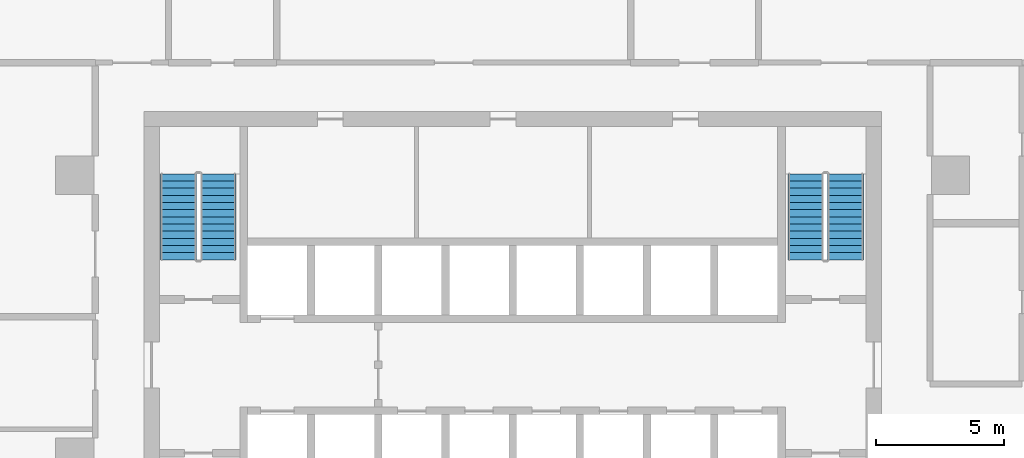
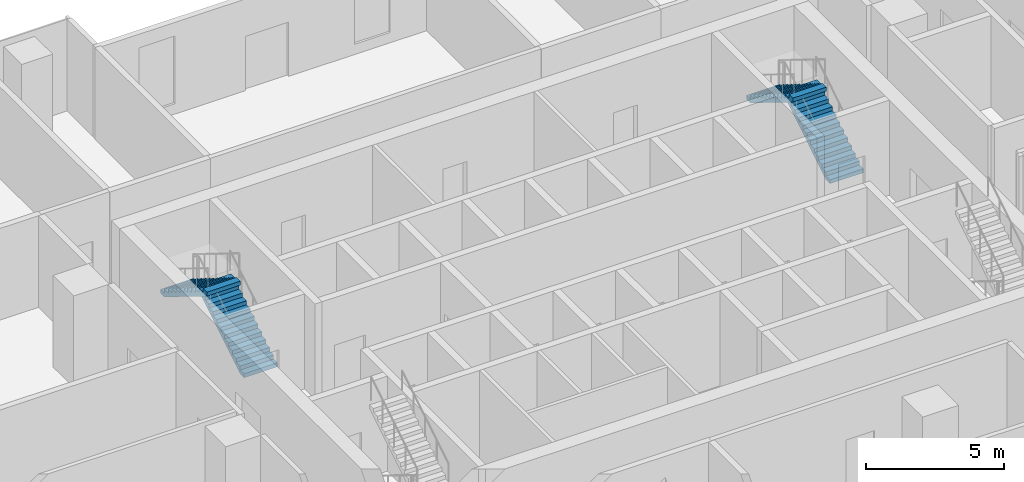
# One storey, part 11 of 14: 4 stair flights, 2 elements without a shape of their own.
"""IFC4 building model written with IfcOpenShell, lengths in metres."""

import ifcopenshell
import ifcopenshell.guid

model = None  # the IFC model being written
_history = None  # IfcOwnerHistory: only IFC2X3 demands one
_inside = {}  # id of a spatial element -> (the spatial element, [elements in it])
_under = {}  # id of a project, library or spatial element -> (it, [spatial elements below it])
_declared = {}  # id of a project -> (the project, [libraries it declares])
_typed = {}  # id of a type object -> (the type object, [elements of that type])
_made_of = {}  # id of a material, layer set ... -> (it, [elements and type objects made of it])


def new_model(schema):
    """Start an empty IFC model of exactly this schema.

    Asked for "IFC4X3", IfcOpenShell would pick the latest addendum, in which some entities
    have other attributes; the version numbers below select the first issue.
    IFC2X3 requires an IfcOwnerHistory on every rooted entity: one is made here for all.
    """
    global model, _history
    if schema == "IFC4X3":
        model = ifcopenshell.file(schema_version=(4, 3, 0, 0))
    else:
        model = ifcopenshell.file(schema=schema)
    _inside.clear()
    _under.clear()
    _declared.clear()
    _typed.clear()
    _made_of.clear()
    _history = None
    if model.schema == "IFC2X3":
        org = make("IfcOrganization", Name="unknown")
        user = make(
            "IfcPersonAndOrganization",
            ThePerson=make("IfcPerson", FamilyName="unknown"),
            TheOrganization=org,
        )
        app = make(
            "IfcApplication",
            ApplicationDeveloper=org,
            Version="unknown",
            ApplicationFullName="unknown",
            ApplicationIdentifier="unknown",
        )
        _history = make(
            "IfcOwnerHistory",
            OwningUser=user,
            OwningApplication=app,
            ChangeAction="ADDED",
            CreationDate=0,
        )
    return model


def make(cls, **values):
    """One entity of the class cls with the attributes given. An attribute that is None is left unset."""
    return model.create_entity(
        cls, **{name: value for name, value in values.items() if value is not None}
    )


def rooted(cls, **values):
    """An entity with a GlobalId (a new one), such as an element, a storey or a relation."""
    return make(cls, GlobalId=ifcopenshell.guid.new(), OwnerHistory=_history, **values)


def si_unit(unit_type, name, prefix=None):
    """IfcSIUnit, for example si_unit("LENGTHUNIT", "METRE", prefix="MILLI")."""
    return make("IfcSIUnit", UnitType=unit_type, Prefix=prefix, Name=name)


def assignment(units):
    """IfcUnitAssignment: the units of a project."""
    return None if units is None else make("IfcUnitAssignment", Units=units)


def point(xyz):
    """IfcCartesianPoint."""
    return None if xyz is None else make("IfcCartesianPoint", Coordinates=xyz)


def direction(xyz):
    """IfcDirection."""
    return None if xyz is None else make("IfcDirection", DirectionRatios=xyz)


def frame(location, z_axis=None, x_axis=None):
    """IfcAxis2Placement3D, a coordinate frame: its origin and axes. An axis left out is left unset."""
    return make(
        "IfcAxis2Placement3D",
        Location=point(location),
        Axis=direction(z_axis),
        RefDirection=direction(x_axis),
    )


def origin():
    """The frame at (0, 0, 0) with its axes left unset."""
    return frame((0.0, 0.0, 0.0))


def place(relative_to, where):
    """IfcLocalPlacement: puts the frame where relative to a parent placement (None: the world)."""
    return make(
        "IfcLocalPlacement", PlacementRelTo=relative_to, RelativePlacement=where
    )


def context(
    kind, dimensions, precision=None, world=None, true_north=None, identifier=None
):
    """IfcGeometricRepresentationContext, for example the 3D "Model" context."""
    return make(
        "IfcGeometricRepresentationContext",
        ContextIdentifier=identifier,
        ContextType=kind,
        CoordinateSpaceDimension=dimensions,
        Precision=precision,
        WorldCoordinateSystem=world,
        TrueNorth=true_north,
    )


def subcontext(parent, identifier, kind, view, scale=None):
    """IfcGeometricRepresentationSubContext, for example "Body" below "Model"."""
    return make(
        "IfcGeometricRepresentationSubContext",
        ContextIdentifier=identifier,
        ContextType=kind,
        ParentContext=parent,
        TargetScale=scale,
        TargetView=view,
    )


def project(units=None, contexts=None):
    """IfcProject with its units and contexts."""
    return rooted(
        "IfcProject",
        Name="project",
        RepresentationContexts=contexts,
        UnitsInContext=assignment(units),
    )


def spatial(cls, under=None, at=None, **own):
    """A site, building, storey or space (cls), placed at a placement, below another one or the project."""
    s = rooted(cls, ObjectPlacement=at, **own)
    if under is not None:
        _under.setdefault(under.id(), (under, []))[1].append(s)
    return s


def polyline(points):
    """IfcPolyline through the points."""
    return make("IfcPolyline", Points=[point(p) for p in points])


def outline(outer, holes=None, kind="AREA"):
    """IfcArbitraryClosedProfileDef: a profile drawn as a closed curve; with holes, ...WithVoids."""
    if holes is None:
        return make("IfcArbitraryClosedProfileDef", ProfileType=kind, OuterCurve=outer)
    return make(
        "IfcArbitraryProfileDefWithVoids",
        ProfileType=kind,
        OuterCurve=outer,
        InnerCurves=holes,
    )


def extrude(swept, where, along, depth):
    """IfcExtrudedAreaSolid: the profile swept, set in the frame where, extruded along a direction by depth."""
    return make(
        "IfcExtrudedAreaSolid",
        SweptArea=swept,
        Position=where,
        ExtrudedDirection=direction(along),
        Depth=depth,
    )


def shape(context_of_items, identifier, shape_type, items):
    """IfcShapeRepresentation: the items that make up one representation, for example the "Body"."""
    return make(
        "IfcShapeRepresentation",
        ContextOfItems=context_of_items,
        RepresentationIdentifier=identifier,
        RepresentationType=shape_type,
        Items=items,
    )


def material(Name=None, Category=None):
    """IfcMaterial."""
    return make("IfcMaterial", Name=Name, Category=Category)


def made_of(thing, what):
    """Note that an element or type object is made of a material, layer set ...; save() writes the relation."""
    if what is not None:
        _made_of.setdefault(what.id(), (what, []))[1].append(thing)
    return thing


def type_object(cls, material=None, **own):
    """A type object (cls), such as IfcWallType, which elements share."""
    return made_of(rooted(cls, **own), material)


def element(
    cls,
    number,
    at=None,
    inside=None,
    cuts=None,
    type_object=None,
    material=None,
    context=None,
    identifier="Body",
    shape_type=None,
    held_by="IfcProductDefinitionShape",
    body=None,
    shapes=None,
    **own,
):
    """One element of the class cls, such as IfcWall. Its Tag is "e" and its number.

    at: its placement. inside: the storey or other place that contains it. cuts: it is an
    opening in that element (IfcRelVoidsElement). A single representation is given by context,
    identifier, shape_type and body (its items); several are given by shapes. held_by: the class
    of the entity that holds the representations. save() writes the other relations.
    """
    e = rooted(cls, Tag="e%d" % number, ObjectPlacement=at, **own)
    if body is not None:
        shapes = [shape(context, identifier, shape_type, body)]
    if shapes is not None:
        e.Representation = make(held_by, Representations=shapes)
    if inside is not None:
        _inside.setdefault(inside.id(), (inside, []))[1].append(e)
    if cuts is not None:
        rooted(
            "IfcRelVoidsElement", RelatingBuildingElement=cuts, RelatedOpeningElement=e
        )
    if type_object is not None:
        _typed.setdefault(type_object.id(), (type_object, []))[1].append(e)
    return made_of(e, material)


def aggregate(whole, parts):
    """IfcRelAggregates: a whole, such as a stair, and the parts it consists of."""
    return rooted("IfcRelAggregates", RelatingObject=whole, RelatedObjects=parts)


def save(model, path):
    """Write the relations noted so far, then the file.

    IfcRelAggregates (storeys below a building ...), IfcRelContainedInSpatialStructure (elements
    in a storey), IfcRelDefinesByType, IfcRelAssociatesMaterial and IfcRelDeclares: one each for
    every whole, place, type object, material and project.
    """
    for whole, parts in _under.values():
        aggregate(whole, parts)
    for where, things in _inside.values():
        rooted(
            "IfcRelContainedInSpatialStructure",
            RelatedElements=things,
            RelatingStructure=where,
        )
    for kind, things in _typed.values():
        rooted("IfcRelDefinesByType", RelatedObjects=things, RelatingType=kind)
    for what, things in _made_of.values():
        rooted("IfcRelAssociatesMaterial", RelatedObjects=things, RelatingMaterial=what)
    for by, libraries in _declared.values():
        rooted("IfcRelDeclares", RelatingContext=by, RelatedDefinitions=libraries)
    model.write(path)


model = new_model("IFC4")

# Units and contexts
model_context = context("Model", 3, precision=1e-05, world=origin(), true_north=direction((0.0, 1.0)))
body_context = subcontext(model_context, "Body", "Model", "MODEL_VIEW")
ifc_project = project(units=[si_unit("LENGTHUNIT", "METRE"), si_unit("AREAUNIT", "SQUARE_METRE"), si_unit("VOLUMEUNIT", "CUBIC_METRE"), si_unit("PLANEANGLEUNIT", "RADIAN"), si_unit("MASSUNIT", "GRAM", prefix="KILO")], contexts=[model_context])

# Site, building, storey
site_placement = place(None, origin())
site = spatial("IfcSite", under=ifc_project, at=site_placement, CompositionType="ELEMENT")
building_placement = place(site_placement, origin())
building = spatial("IfcBuilding", under=site, at=building_placement, Name="Mopane Tessera Tower", CompositionType="ELEMENT")
storey_placement = place(building_placement, frame((0.0, 0.0, 139.60009765625)))
storey = spatial("IfcBuildingStorey", under=building, at=storey_placement, Name="L28", CompositionType="ELEMENT", Elevation=139.60009765625)

# Stair, stair flights
ifc_material_1 = material(Name="Concrete C50/60", Category="concrete")
stair_type = type_object("IfcStairType", Name="Escape stair 1400 mm, riser 173 mm", PredefinedType="HALF_TURN_STAIR", material=ifc_material_1)
stair_1_placement = place(storey_placement, origin())
stair_1 = element("IfcStair", 1, at=stair_1_placement, inside=storey, type_object=stair_type, Name="L28 Escape stair north-west", PredefinedType="HALF_TURN_STAIR")
ifc_material_2 = material(Name="Concrete C50/60", Category="concrete")
stair_flight_type = type_object("IfcStairFlightType", Name="Escape stair flight 1400 mm", PredefinedType="STRAIGHT", material=ifc_material_2)
stair_flight_1_placement = place(storey_placement, frame((-11.5, 7.699951171875, 0.0), z_axis=(0.0, 0.0, 1.0), x_axis=(0.0, 1.0, 0.0)))
stair_flight_1 = element("IfcStairFlight", 2, at=stair_flight_1_placement, type_object=stair_flight_type, Name="ST2 flight 1", NumberOfRisers=13, NumberOfTreads=12, PredefinedType="STRAIGHT", RiserHeight=0.173076923, TreadLength=0.28, context=body_context, shape_type="SweptSolid", body=[
    extrude(outline(polyline([(0.0, 0.0), (0.0, 0.173095703125), (0.280029296875, 0.173095703125), (0.280029296875, 0.34619140625), (0.56005859375, 0.34619140625), (0.56005859375, 0.519287109375), (0.840087890625, 0.519287109375), (0.840087890625, 0.6923828125), (1.1201171875, 0.6923828125), (1.1201171875, 0.865478515625), (1.39990234375, 0.865478515625), (1.39990234375, 1.03857421875), (1.679931640625, 1.03857421875), (1.679931640625, 1.21142578125), (1.9599609375, 1.21142578125), (1.9599609375, 1.384521484375), (2.239990234375, 1.384521484375), (2.239990234375, 1.5576171875), (2.52001953125, 1.5576171875), (2.52001953125, 1.730712890625), (2.800048828125, 1.730712890625), (2.800048828125, 1.90380859375), (3.080078125, 1.90380859375), (3.080078125, 2.076904296875), (3.360107421875, 2.076904296875), (3.360107421875, 2.25), (3.360107421875, 1.900634765625), (0.28515625, 0.0), (0.0, 0.0)])), frame((0.0, 0.699951171875, 0.0), z_axis=(0.0, -1.0, 0.0), x_axis=(1.0, 0.0, 0.0)), (0.0, 0.0, 1.0), 1.39990234375),
])
stair_flight_2_placement = place(storey_placement, frame((-13.050048828125, 11.06005859375, 2.25), z_axis=(0.0, 0.0, 1.0), x_axis=(0.0, -1.0, 0.0)))
stair_flight_2 = element("IfcStairFlight", 3, at=stair_flight_2_placement, type_object=stair_flight_type, Name="ST2 flight 2", NumberOfRisers=13, NumberOfTreads=12, PredefinedType="STRAIGHT", RiserHeight=0.173076923, TreadLength=0.28, context=body_context, shape_type="SweptSolid", body=[
    extrude(outline(polyline([(0.0, 0.0), (0.0, 0.173095703125), (0.280029296875, 0.173095703125), (0.280029296875, 0.34619140625), (0.56005859375, 0.34619140625), (0.56005859375, 0.519287109375), (0.840087890625, 0.519287109375), (0.840087890625, 0.6923828125), (1.1201171875, 0.6923828125), (1.1201171875, 0.865478515625), (1.39990234375, 0.865478515625), (1.39990234375, 1.03857421875), (1.679931640625, 1.03857421875), (1.679931640625, 1.21142578125), (1.9599609375, 1.21142578125), (1.9599609375, 1.384521484375), (2.239990234375, 1.384521484375), (2.239990234375, 1.5576171875), (2.52001953125, 1.5576171875), (2.52001953125, 1.730712890625), (2.800048828125, 1.730712890625), (2.800048828125, 1.90380859375), (3.080078125, 1.90380859375), (3.080078125, 2.076904296875), (3.360107421875, 2.076904296875), (3.360107421875, 2.25), (3.360107421875, 1.900634765625), (0.28515625, 0.0), (0.0, 0.0)])), frame((0.0, 0.699951171875, 0.0), z_axis=(0.0, -1.0, 0.0), x_axis=(1.0, 0.0, 0.0)), (0.0, 0.0, 1.0), 1.39990234375),
])
aggregate(stair_1, [stair_flight_1, stair_flight_2])

stair_2_placement = place(storey_placement, origin())
stair_2 = element("IfcStair", 4, at=stair_2_placement, inside=storey, type_object=stair_type, Name="L28 Escape stair north-east", PredefinedType="HALF_TURN_STAIR")
stair_flight_3_placement = place(storey_placement, frame((13.0, 7.699951171875, 0.0), z_axis=(0.0, 0.0, 1.0), x_axis=(0.0, 1.0, 0.0)))
stair_flight_3 = element("IfcStairFlight", 5, at=stair_flight_3_placement, type_object=stair_flight_type, Name="ST4 flight 1", NumberOfRisers=13, NumberOfTreads=12, PredefinedType="STRAIGHT", RiserHeight=0.173076923, TreadLength=0.28, context=body_context, shape_type="SweptSolid", body=[
    extrude(outline(polyline([(0.0, 0.0), (0.0, 0.173095703125), (0.280029296875, 0.173095703125), (0.280029296875, 0.34619140625), (0.56005859375, 0.34619140625), (0.56005859375, 0.519287109375), (0.840087890625, 0.519287109375), (0.840087890625, 0.6923828125), (1.1201171875, 0.6923828125), (1.1201171875, 0.865478515625), (1.39990234375, 0.865478515625), (1.39990234375, 1.03857421875), (1.679931640625, 1.03857421875), (1.679931640625, 1.21142578125), (1.9599609375, 1.21142578125), (1.9599609375, 1.384521484375), (2.239990234375, 1.384521484375), (2.239990234375, 1.5576171875), (2.52001953125, 1.5576171875), (2.52001953125, 1.730712890625), (2.800048828125, 1.730712890625), (2.800048828125, 1.90380859375), (3.080078125, 1.90380859375), (3.080078125, 2.076904296875), (3.360107421875, 2.076904296875), (3.360107421875, 2.25), (3.360107421875, 1.900634765625), (0.28515625, 0.0), (0.0, 0.0)])), frame((0.0, 0.699951171875, 0.0), z_axis=(0.0, -1.0, 0.0), x_axis=(1.0, 0.0, 0.0)), (0.0, 0.0, 1.0), 1.39990234375),
])
stair_flight_4_placement = place(storey_placement, frame((11.449951171875, 11.06005859375, 2.25), z_axis=(0.0, 0.0, 1.0), x_axis=(0.0, -1.0, 0.0)))
stair_flight_4 = element("IfcStairFlight", 6, at=stair_flight_4_placement, type_object=stair_flight_type, Name="ST4 flight 2", NumberOfRisers=13, NumberOfTreads=12, PredefinedType="STRAIGHT", RiserHeight=0.173076923, TreadLength=0.28, context=body_context, shape_type="SweptSolid", body=[
    extrude(outline(polyline([(0.0, 0.0), (0.0, 0.173095703125), (0.280029296875, 0.173095703125), (0.280029296875, 0.34619140625), (0.56005859375, 0.34619140625), (0.56005859375, 0.519287109375), (0.840087890625, 0.519287109375), (0.840087890625, 0.6923828125), (1.1201171875, 0.6923828125), (1.1201171875, 0.865478515625), (1.39990234375, 0.865478515625), (1.39990234375, 1.03857421875), (1.679931640625, 1.03857421875), (1.679931640625, 1.21142578125), (1.9599609375, 1.21142578125), (1.9599609375, 1.384521484375), (2.239990234375, 1.384521484375), (2.239990234375, 1.5576171875), (2.52001953125, 1.5576171875), (2.52001953125, 1.730712890625), (2.800048828125, 1.730712890625), (2.800048828125, 1.90380859375), (3.080078125, 1.90380859375), (3.080078125, 2.076904296875), (3.360107421875, 2.076904296875), (3.360107421875, 2.25), (3.360107421875, 1.900634765625), (0.28515625, 0.0), (0.0, 0.0)])), frame((0.0, 0.699951171875, 0.0), z_axis=(0.0, -1.0, 0.0), x_axis=(1.0, 0.0, 0.0)), (0.0, 0.0, 1.0), 1.39990234375),
])
aggregate(stair_2, [stair_flight_3, stair_flight_4])

save(model, "model.ifc")
